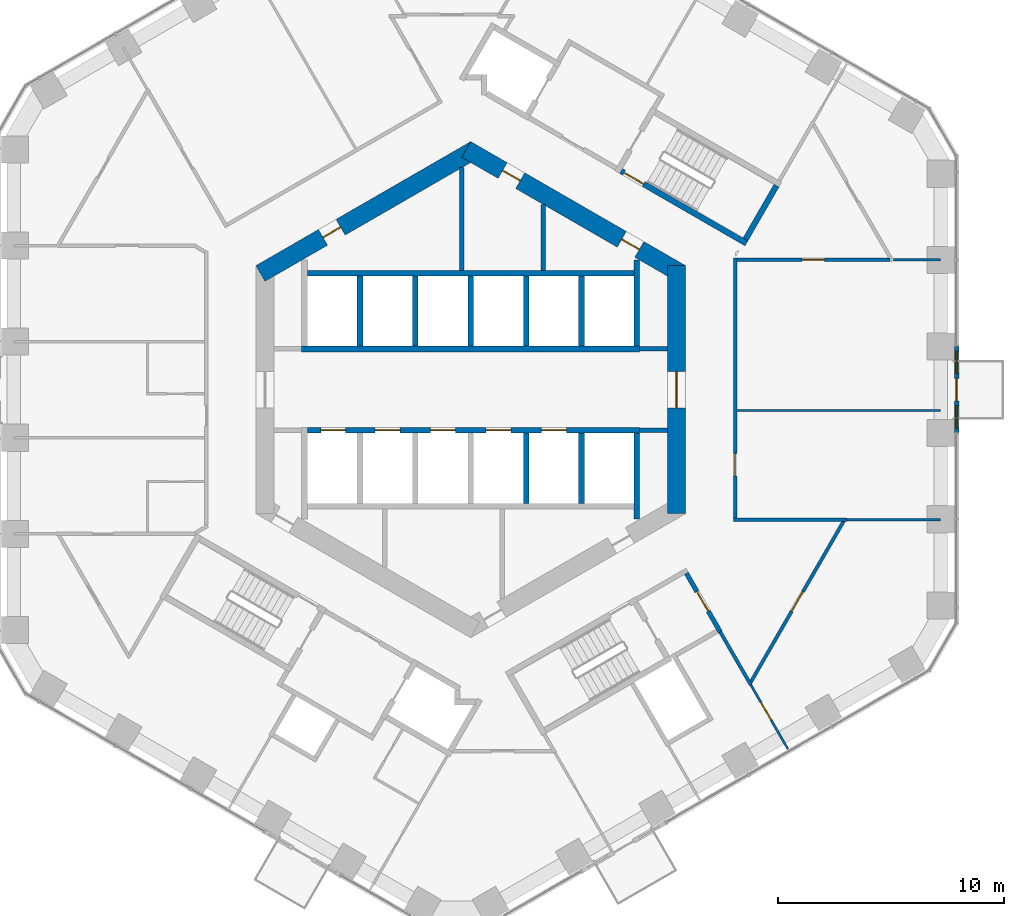
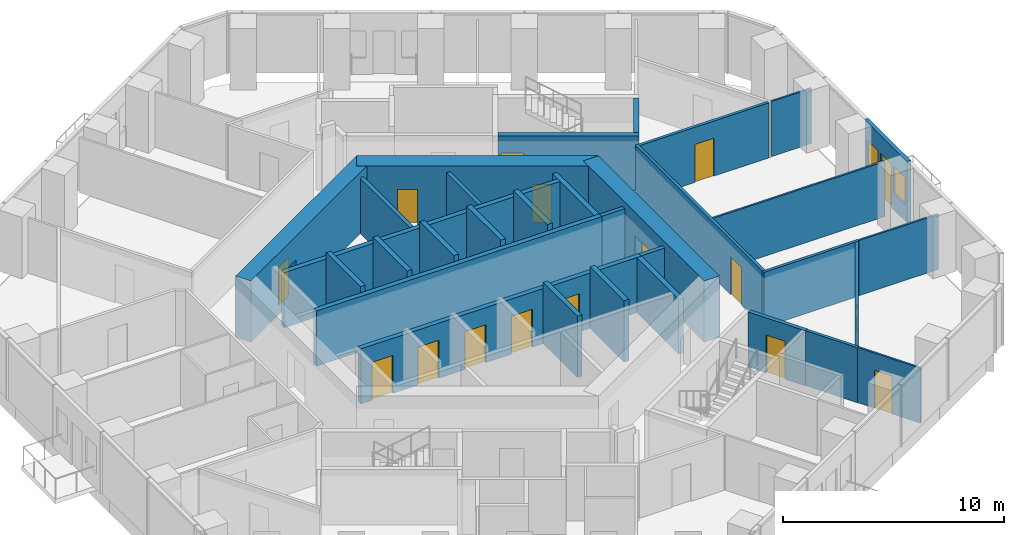
# One storey, part 15 of 20: 32 walls, 16 doors, 2 windows, 18 openings.
"""IFC4 building model written with IfcOpenShell, lengths in metres."""

from ifc_helpers import new_model, si_unit, direction, frame, frame_2d, origin, place, context, subcontext, project, spatial, rectangle, extrude, material, layer, layer_set, type_object, element, fill, save


model = new_model("IFC4")

# Units and contexts
model_context = context("Model", 3, precision=1e-05, world=origin(), true_north=direction((0.0, 1.0)))
body_context = subcontext(model_context, "Body", "Model", "MODEL_VIEW")
ifc_project = project(units=[si_unit("LENGTHUNIT", "METRE"), si_unit("AREAUNIT", "SQUARE_METRE"), si_unit("VOLUMEUNIT", "CUBIC_METRE"), si_unit("PLANEANGLEUNIT", "RADIAN"), si_unit("MASSUNIT", "GRAM", prefix="KILO")], contexts=[model_context])

# Site, building, storey
site_placement = place(None, origin())
site = spatial("IfcSite", under=ifc_project, at=site_placement, CompositionType="ELEMENT")
building_placement = place(site_placement, origin())
building = spatial("IfcBuilding", under=site, at=building_placement, Name="Ayvan Gate Tower", CompositionType="ELEMENT")
storey_placement = place(building_placement, frame((0.0, 0.0, 59.5)))
storey = spatial("IfcBuildingStorey", under=building, at=storey_placement, Name="L15", CompositionType="ELEMENT", Elevation=59.5)

# Wall, openings, door, windows
ifc_material_1 = material(Name="Insulated metal panel wall")
ifc_layer_1 = layer(ifc_material_1, 0.199951171875)
ifc_layer_set_1 = layer_set([ifc_layer_1], Name="Insulated metal panel wall")
wall_type_1 = type_object("IfcWallType", Name="Balcony door wall 200", PredefinedType="SOLIDWALL", material=ifc_layer_set_1)
wall_1_placement = place(storey_placement, frame((21.484619140625, -1.909912109375, 0.0), z_axis=(0.0, 0.0, 1.0), x_axis=(0.0, 1.0, 0.0)))
wall_1 = element("IfcWall", 1, at=wall_1_placement, inside=storey, type_object=wall_type_1, Name="EW:L15:0:2", PredefinedType="SOLIDWALL", context=body_context, shape_type="SweptSolid", body=[
    extrude(rectangle(XDim=3.820068359375, YDim=0.199951171875, at=frame_2d((1.91015625, 0.0))), origin(), (0.0, 0.0, 1.0), 3.39990234375),
])
opening_1_placement = place(wall_1_placement, frame((1.409912109375, 0.0, 0.0)))
opening_1 = element("IfcOpeningElement", 2, at=opening_1_placement, cuts=wall_1, Name="Opening L15-D90", PredefinedType="OPENING", context=body_context, shape_type="SweptSolid", body=[
    extrude(rectangle(XDim=1.0, YDim=2.39990234375, at=frame_2d((0.5, 1.199951171875))), frame((0.0, 0.10986328125, 0.0), z_axis=(0.0, -1.0, 0.0), x_axis=(1.0, 0.0, 0.0)), (0.0, 0.0, 1.0), 0.219970703125),
])
opening_2_placement = place(wall_1_placement, frame((0.205078125, 0.0, 0.89990234375)))
opening_2 = element("IfcOpeningElement", 3, at=opening_2_placement, cuts=wall_1, Name="Opening W-B1", PredefinedType="OPENING", context=body_context, shape_type="SweptSolid", body=[
    extrude(rectangle(XDim=1.0, YDim=1.5, at=frame_2d((0.5, 0.75))), frame((0.0, 0.10986328125, 0.0), z_axis=(0.0, -1.0, 0.0), x_axis=(1.0, 0.0, 0.0)), (0.0, 0.0, 1.0), 0.219970703125),
])
opening_3_placement = place(wall_1_placement, frame((2.614990234375, 0.0, 0.89990234375)))
opening_3 = element("IfcOpeningElement", 4, at=opening_3_placement, cuts=wall_1, Name="Opening W-B1", PredefinedType="OPENING", context=body_context, shape_type="SweptSolid", body=[
    extrude(rectangle(XDim=1.0, YDim=1.5, at=frame_2d((0.5, 0.75))), frame((0.0, 0.10986328125, 0.0), z_axis=(0.0, -1.0, 0.0), x_axis=(1.0, 0.0, 0.0)), (0.0, 0.0, 1.0), 0.219970703125),
])
ifc_material_2 = material(Name="Bronze anodised aluminium and clear glass", Category="aluminium")
door_type_1 = type_object("IfcDoorType", Name="Balcony door D-B", OperationType="SINGLE_SWING_RIGHT", PredefinedType="DOOR", material=ifc_material_2)
door_1_placement = place(opening_1_placement, origin())
door_1 = element("IfcDoor", 5, at=door_1_placement, inside=storey, type_object=door_type_1, Name="Balcony door BAL-L15-0", OperationType="SINGLE_SWING_RIGHT", OverallHeight=2.39990234375, OverallWidth=1.0, PredefinedType="DOOR", context=body_context, shape_type="SweptSolid", body=[
    extrude(rectangle(XDim=1.0, YDim=2.39990234375, at=frame_2d((0.5, 1.199951171875))), frame((0.0, 0.02490234375, 0.0), z_axis=(0.0, -1.0, 0.0), x_axis=(1.0, 0.0, 0.0)), (0.0, 0.0, 1.0), 0.050048828125),
])
fill(opening_1, door_1)
window_type = type_object("IfcWindowType", Name="Balcony side light W-B Z1", PartitioningType="SINGLE_PANEL", PredefinedType="WINDOW", material=ifc_material_2)
window_1_placement = place(opening_2_placement, origin())
window_1 = element("IfcWindow", 6, at=window_1_placement, inside=storey, type_object=window_type, Name="Balcony side light BAL-L15-0.1", OverallHeight=1.5, OverallWidth=1.0, PartitioningType="SINGLE_PANEL", PredefinedType="WINDOW", context=body_context, shape_type="SweptSolid", body=[
    extrude(rectangle(XDim=1.0, YDim=1.5, at=frame_2d((0.5, 0.75))), frame((0.0, 0.030029296875, 0.0), z_axis=(0.0, -1.0, 0.0), x_axis=(1.0, 0.0, 0.0)), (0.0, 0.0, 1.0), 0.06005859375),
])
fill(opening_2, window_1)
window_2_placement = place(opening_3_placement, origin())
window_2 = element("IfcWindow", 7, at=window_2_placement, inside=storey, type_object=window_type, Name="Balcony side light BAL-L15-0.2", OverallHeight=1.5, OverallWidth=1.0, PartitioningType="SINGLE_PANEL", PredefinedType="WINDOW", context=body_context, shape_type="SweptSolid", body=[
    extrude(rectangle(XDim=1.0, YDim=1.5, at=frame_2d((0.5, 0.75))), frame((0.0, 0.030029296875, 0.0), z_axis=(0.0, -1.0, 0.0), x_axis=(1.0, 0.0, 0.0)), (0.0, 0.0, 1.0), 0.06005859375),
])
fill(opening_3, window_2)

# Wall, opening, door
ifc_material_3 = material(Name="Concrete C70/85", Category="concrete")
ifc_layer_2 = layer(ifc_material_3, 0.800048828125)
ifc_layer_set_2 = layer_set([ifc_layer_2], Name="Concrete C70/85")
wall_type_2 = type_object("IfcWallType", Name="Core wall 800 C70/85", PredefinedType="SHEAR", material=ifc_layer_set_2)
wall_2_placement = place(storey_placement, frame((9.10009765625, -5.48486328125, 0.0), z_axis=(0.0, 0.0, 1.0), x_axis=(0.0, 1.0, 0.0)))
wall_2 = element("IfcWall", 8, at=wall_2_placement, inside=storey, type_object=wall_type_2, Name="CORE-L15-0", PredefinedType="SHEAR", context=body_context, shape_type="SweptSolid", body=[
    extrude(rectangle(XDim=10.9697265625, YDim=0.800048828125, at=frame_2d((5.48486328125, 0.0))), origin(), (0.0, 0.0, 1.0), 3.39990234375),
])
opening_4_placement = place(wall_2_placement, frame((4.684814453125, 0.0, 0.0)))
opening_4 = element("IfcOpeningElement", 9, at=opening_4_placement, cuts=wall_2, Name="Opening L15-D102", PredefinedType="OPENING", context=body_context, shape_type="SweptSolid", body=[
    extrude(rectangle(XDim=1.60009765625, YDim=2.10009765625, at=frame_2d((0.800048828125, 1.050048828125))), frame((0.0, 0.409912109375, 0.0), z_axis=(0.0, -1.0, 0.0), x_axis=(1.0, 0.0, 0.0)), (0.0, 0.0, 1.0), 0.820068359375),
])
ifc_material_4 = material(Name="Timber door leaf", Category="wood")
door_type_2 = type_object("IfcDoorType", Name="DT-1600", OperationType="NOTDEFINED", PredefinedType="DOOR", material=ifc_material_4)
door_2_placement = place(opening_4_placement, origin())
door_2 = element("IfcDoor", 10, at=door_2_placement, inside=storey, type_object=door_type_2, Name="CD-L15-102", OperationType="SINGLE_SWING_LEFT", OverallHeight=2.10009765625, OverallWidth=1.60009765625, PredefinedType="DOOR", context=body_context, shape_type="SweptSolid", body=[
    extrude(rectangle(XDim=1.60009765625, YDim=2.10009765625, at=frame_2d((0.800048828125, 1.050048828125))), frame((0.0, 0.02490234375, 0.0), z_axis=(0.0, -1.0, 0.0), x_axis=(1.0, 0.0, 0.0)), (0.0, 0.0, 1.0), 0.050048828125),
])
fill(opening_4, door_2)

# Wall, openings, doors
wall_3_placement = place(storey_placement, frame((9.300048828125, 5.138427734375, 0.0), z_axis=(0.0, 0.0, 1.0), x_axis=(-0.866023993627, 0.500002442456, 0.0)))
wall_3 = element("IfcWall", 11, at=wall_3_placement, inside=storey, type_object=wall_type_2, Name="CORE-L15-1", PredefinedType="SHEAR", context=body_context, shape_type="SweptSolid", body=[
    extrude(rectangle(XDim=10.9697265625, YDim=0.800048828125, at=frame_2d((5.48486328125, 0.0))), origin(), (0.0, 0.0, 1.0), 3.39990234375),
])
opening_5_placement = place(wall_3_placement, frame((8.209716796875, 0.0, 0.0)))
opening_5 = element("IfcOpeningElement", 12, at=opening_5_placement, cuts=wall_3, Name="Opening L15-D97", PredefinedType="OPENING", context=body_context, shape_type="SweptSolid", body=[
    extrude(rectangle(XDim=0.89990234375, YDim=2.10009765625, at=frame_2d((0.449951171875, 1.050048828125))), frame((0.0, 0.409912109375, 0.0), z_axis=(0.0, -1.0, 0.0), x_axis=(1.0, 0.0, 0.0)), (0.0, 0.0, 1.0), 0.820068359375),
])
opening_6_placement = place(wall_3_placement, frame((2.1259765625, 0.0, 0.0)))
opening_6 = element("IfcOpeningElement", 13, at=opening_6_placement, cuts=wall_3, Name="Opening L15-D98", PredefinedType="OPENING", context=body_context, shape_type="SweptSolid", body=[
    extrude(rectangle(XDim=0.89990234375, YDim=2.10009765625, at=frame_2d((0.449951171875, 1.050048828125))), frame((0.0, 0.409912109375, 0.0), z_axis=(0.0, -1.0, 0.0), x_axis=(1.0, 0.0, 0.0)), (0.0, 0.0, 1.0), 0.820068359375),
])
door_type_3 = type_object("IfcDoorType", Name="DT-900", OperationType="NOTDEFINED", PredefinedType="DOOR", material=ifc_material_4)
door_3_placement = place(opening_5_placement, origin())
door_3 = element("IfcDoor", 14, at=door_3_placement, inside=storey, type_object=door_type_3, Name="CD-L15-97", OperationType="SINGLE_SWING_RIGHT", OverallHeight=2.10009765625, OverallWidth=0.89990234375, PredefinedType="DOOR", context=body_context, shape_type="SweptSolid", body=[
    extrude(rectangle(XDim=0.89990234375, YDim=2.10009765625, at=frame_2d((0.449951171875, 1.050048828125))), frame((0.0, 0.02490234375, 0.0), z_axis=(0.0, -1.0, 0.0), x_axis=(1.0, 0.0, 0.0)), (0.0, 0.0, 1.0), 0.050048828125),
])
fill(opening_5, door_3)
door_4_placement = place(opening_6_placement, origin())
door_4 = element("IfcDoor", 15, at=door_4_placement, inside=storey, type_object=door_type_3, Name="CD-L15-98", OperationType="SINGLE_SWING_LEFT", OverallHeight=2.10009765625, OverallWidth=0.89990234375, PredefinedType="DOOR", context=body_context, shape_type="SweptSolid", body=[
    extrude(rectangle(XDim=0.89990234375, YDim=2.10009765625, at=frame_2d((0.449951171875, 1.050048828125))), frame((0.0, 0.02490234375, 0.0), z_axis=(0.0, -1.0, 0.0), x_axis=(1.0, 0.0, 0.0)), (0.0, 0.0, 1.0), 0.050048828125),
])
fill(opening_6, door_4)

# Wall, opening, door
wall_4_placement = place(storey_placement, frame((0.199951171875, 10.623291015625, 0.0), z_axis=(0.0, 0.0, 1.0), x_axis=(-0.866023993627, -0.500002442456, 0.0)))
wall_4 = element("IfcWall", 16, at=wall_4_placement, inside=storey, type_object=wall_type_2, Name="CORE-L15-2", PredefinedType="SHEAR", context=body_context, shape_type="SweptSolid", body=[
    extrude(rectangle(XDim=10.9697265625, YDim=0.800048828125, at=frame_2d((5.48486328125, 0.0))), origin(), (0.0, 0.0, 1.0), 3.39990234375),
])
opening_7_placement = place(wall_4_placement, frame((6.877197265625, 0.0, 0.0)))
opening_7 = element("IfcOpeningElement", 17, at=opening_7_placement, cuts=wall_4, Name="Opening L15-D96", PredefinedType="OPENING", context=body_context, shape_type="SweptSolid", body=[
    extrude(rectangle(XDim=0.89990234375, YDim=2.10009765625, at=frame_2d((0.449951171875, 1.050048828125))), frame((0.0, 0.409912109375, 0.0), z_axis=(0.0, -1.0, 0.0), x_axis=(1.0, 0.0, 0.0)), (0.0, 0.0, 1.0), 0.820068359375),
])
door_5_placement = place(opening_7_placement, origin())
door_5 = element("IfcDoor", 18, at=door_5_placement, inside=storey, type_object=door_type_3, Name="CD-L15-96", OperationType="SINGLE_SWING_LEFT", OverallHeight=2.10009765625, OverallWidth=0.89990234375, PredefinedType="DOOR", context=body_context, shape_type="SweptSolid", body=[
    extrude(rectangle(XDim=0.89990234375, YDim=2.10009765625, at=frame_2d((0.449951171875, 1.050048828125))), frame((0.0, 0.02490234375, 0.0), z_axis=(0.0, -1.0, 0.0), x_axis=(1.0, 0.0, 0.0)), (0.0, 0.0, 1.0), 0.050048828125),
])
fill(opening_7, door_5)

# Wall
ifc_material_5 = material(Name="Plasterboard on steel stud", Category="steel")
ifc_layer_3 = layer(ifc_material_5, 0.14990234375)
ifc_layer_set_3 = layer_set([ifc_layer_3], Name="Plasterboard on steel stud")
wall_type_3 = type_object("IfcWallType", Name="WT-CORR-150", PredefinedType="PARTITIONING", material=ifc_layer_set_3)
wall_5_placement = place(storey_placement, frame((11.625, -5.74951171875, 0.0), z_axis=(0.0, 0.0, 1.0), x_axis=(1.0, 0.0, 0.0)))
element("IfcWall", 19, at=wall_5_placement, inside=storey, type_object=wall_type_3, Name="IW-L15-104", PredefinedType="PARTITIONING", context=body_context, shape_type="SweptSolid", body=[
    extrude(rectangle(XDim=4.9833984375, YDim=0.14990234375, at=frame_2d((2.49169921875, 0.0))), origin(), (0.0, 0.0, 1.0), 3.050048828125),
])

# Wall, opening, door
wall_6_placement = place(storey_placement, frame((11.699951171875, -5.674560546875, 0.0), z_axis=(0.0, 0.0, 1.0), x_axis=(0.0, 1.0, 0.0)))
wall_6 = element("IfcWall", 20, at=wall_6_placement, inside=storey, type_object=wall_type_3, Name="IW-L15-105", PredefinedType="PARTITIONING", context=body_context, shape_type="SweptSolid", body=[
    extrude(rectangle(XDim=11.499267578125, YDim=0.14990234375, at=frame_2d((5.74951171875, 0.0))), origin(), (0.0, 0.0, 1.0), 3.050048828125),
])
opening_8_placement = place(wall_6_placement, frame((1.8623046875, 0.0, 0.0)))
opening_8 = element("IfcOpeningElement", 21, at=opening_8_placement, cuts=wall_6, Name="Opening L15-D17", PredefinedType="OPENING", context=body_context, shape_type="SweptSolid", body=[
    extrude(rectangle(XDim=1.0, YDim=2.10009765625, at=frame_2d((0.5, 1.050048828125))), frame((0.0, 0.0849609375, 0.0), z_axis=(0.0, -1.0, 0.0), x_axis=(1.0, 0.0, 0.0)), (0.0, 0.0, 1.0), 0.169921875),
])
door_type_4 = type_object("IfcDoorType", Name="DT-1000", OperationType="NOTDEFINED", PredefinedType="DOOR", material=ifc_material_4)
door_6_placement = place(opening_8_placement, origin())
door_6 = element("IfcDoor", 22, at=door_6_placement, inside=storey, type_object=door_type_4, Name="ID-L15-017", OperationType="SINGLE_SWING_RIGHT", OverallHeight=2.10009765625, OverallWidth=1.0, PredefinedType="DOOR", context=body_context, shape_type="SweptSolid", body=[
    extrude(rectangle(XDim=1.0, YDim=2.10009765625, at=frame_2d((0.5, 1.050048828125))), frame((0.0, 0.02490234375, 0.0), z_axis=(0.0, -1.0, 0.0), x_axis=(1.0, 0.0, 0.0)), (0.0, 0.0, 1.0), 0.050048828125),
])
fill(opening_8, door_6)

# Wall
wall_7_placement = place(storey_placement, frame((12.388916015625, -13.05810546875, 0.0), z_axis=(0.0, 0.0, 1.0), x_axis=(-0.499985657998, 0.866033683985, 0.0)))
element("IfcWall", 23, at=wall_7_placement, inside=storey, type_object=wall_type_3, Name="IW-L15-108", PredefinedType="PARTITIONING", context=body_context, shape_type="SweptSolid", body=[
    extrude(rectangle(XDim=2.703125, YDim=0.14990234375, at=frame_2d((1.3515625, 0.0))), origin(), (0.0, 0.0, 1.0), 3.050048828125),
])

# Wall, opening, door
wall_8_placement = place(storey_placement, frame((16.49609375, -5.814697265625, 0.0), z_axis=(0.0, 0.0, 1.0), x_axis=(-0.500016611795, -0.866015812748, 0.0)))
wall_8 = element("IfcWall", 24, at=wall_8_placement, inside=storey, type_object=wall_type_3, Name="IW-L15-114", PredefinedType="PARTITIONING", context=body_context, shape_type="SweptSolid", body=[
    extrude(rectangle(XDim=8.214111328125, YDim=0.14990234375, at=frame_2d((4.10693359375, 0.0))), origin(), (0.0, 0.0, 1.0), 3.050048828125),
])
opening_9_placement = place(wall_8_placement, frame((3.607177734375, 0.0, 0.0)))
opening_9 = element("IfcOpeningElement", 25, at=opening_9_placement, cuts=wall_8, Name="Opening L15-D34", PredefinedType="OPENING", context=body_context, shape_type="SweptSolid", body=[
    extrude(rectangle(XDim=1.0, YDim=2.10009765625, at=frame_2d((0.5, 1.050048828125))), frame((0.0, 0.0849609375, 0.0), z_axis=(0.0, -1.0, 0.0), x_axis=(1.0, 0.0, 0.0)), (0.0, 0.0, 1.0), 0.169921875),
])
door_7_placement = place(opening_9_placement, origin())
door_7 = element("IfcDoor", 26, at=door_7_placement, inside=storey, type_object=door_type_4, Name="ID-L15-034", OperationType="SINGLE_SWING_LEFT", OverallHeight=2.10009765625, OverallWidth=1.0, PredefinedType="DOOR", context=body_context, shape_type="SweptSolid", body=[
    extrude(rectangle(XDim=1.0, YDim=2.10009765625, at=frame_2d((0.5, 1.050048828125))), frame((0.0, 0.02490234375, 0.0), z_axis=(0.0, -1.0, 0.0), x_axis=(1.0, 0.0, 0.0)), (0.0, 0.0, 1.0), 0.050048828125),
])
fill(opening_9, door_7)

wall_9_placement = place(storey_placement, frame((18.537109375, 5.74951171875, 0.0), z_axis=(0.0, 0.0, 1.0), x_axis=(-1.0, 0.0, 0.0)))
wall_9 = element("IfcWall", 27, at=wall_9_placement, inside=storey, type_object=wall_type_3, Name="IW-L15-116", PredefinedType="PARTITIONING", context=body_context, shape_type="SweptSolid", body=[
    extrude(rectangle(XDim=6.76220703125, YDim=0.14990234375, at=frame_2d((3.381103515625, 0.0))), origin(), (0.0, 0.0, 1.0), 3.050048828125),
])
opening_10_placement = place(wall_9_placement, frame((2.881103515625, 0.0, 0.0)))
opening_10 = element("IfcOpeningElement", 28, at=opening_10_placement, cuts=wall_9, Name="Opening L15-D18", PredefinedType="OPENING", context=body_context, shape_type="SweptSolid", body=[
    extrude(rectangle(XDim=1.0, YDim=2.10009765625, at=frame_2d((0.5, 1.050048828125))), frame((0.0, 0.0849609375, 0.0), z_axis=(0.0, -1.0, 0.0), x_axis=(1.0, 0.0, 0.0)), (0.0, 0.0, 1.0), 0.169921875),
])
door_8_placement = place(opening_10_placement, origin())
door_8 = element("IfcDoor", 29, at=door_8_placement, inside=storey, type_object=door_type_4, Name="ID-L15-018", OperationType="SINGLE_SWING_LEFT", OverallHeight=2.10009765625, OverallWidth=1.0, PredefinedType="DOOR", context=body_context, shape_type="SweptSolid", body=[
    extrude(rectangle(XDim=1.0, YDim=2.10009765625, at=frame_2d((0.5, 1.050048828125))), frame((0.0, 0.02490234375, 0.0), z_axis=(0.0, -1.0, 0.0), x_axis=(1.0, 0.0, 0.0)), (0.0, 0.0, 1.0), 0.050048828125),
])
fill(opening_10, door_8)

# Wall
ifc_layer_4 = layer(ifc_material_5, 0.10009765625)
ifc_layer_set_4 = layer_set([ifc_layer_4], Name="Plasterboard on steel stud")
wall_type_4 = type_object("IfcWallType", Name="WT-PART-100", PredefinedType="PARTITIONING", material=ifc_layer_set_4)
wall_10_placement = place(storey_placement, frame((11.77490234375, -0.919921875, 0.0), z_axis=(0.0, 0.0, 1.0), x_axis=(1.0, 0.0, 0.0)))
element("IfcWall", 30, at=wall_10_placement, inside=storey, type_object=wall_type_4, Name="IW-L15-106", PredefinedType="PARTITIONING", context=body_context, shape_type="SweptSolid", body=[
    extrude(rectangle(XDim=9.009765625, YDim=0.10009765625, at=frame_2d((4.5048828125, 0.0))), origin(), (0.0, 0.0, 1.0), 3.050048828125),
])

# Wall, opening, door
wall_11_placement = place(storey_placement, frame((14.031005859375, -15.902099609375, 0.0), z_axis=(0.0, 0.0, 1.0), x_axis=(-0.500024907045, 0.866011023218, 0.0)))
wall_11 = element("IfcWall", 31, at=wall_11_placement, inside=storey, type_object=wall_type_4, Name="IW-L15-111", PredefinedType="PARTITIONING", context=body_context, shape_type="SweptSolid", body=[
    extrude(rectangle(XDim=3.283935546875, YDim=0.10009765625, at=frame_2d((1.64208984375, 0.0))), origin(), (0.0, 0.0, 1.0), 3.050048828125),
])
opening_11_placement = place(wall_11_placement, frame((1.489990234375, 0.0, 0.0)))
opening_11 = element("IfcOpeningElement", 32, at=opening_11_placement, cuts=wall_11, Name="Opening L15-D35", PredefinedType="OPENING", context=body_context, shape_type="SweptSolid", body=[
    extrude(rectangle(XDim=0.89990234375, YDim=2.10009765625, at=frame_2d((0.449951171875, 1.050048828125))), frame((0.0, 0.06005859375, 0.0), z_axis=(0.0, -1.0, 0.0), x_axis=(1.0, 0.0, 0.0)), (0.0, 0.0, 1.0), 0.1201171875),
])
door_9_placement = place(opening_11_placement, origin())
door_9 = element("IfcDoor", 33, at=door_9_placement, inside=storey, type_object=door_type_3, Name="ID-L15-035", OperationType="SINGLE_SWING_RIGHT", OverallHeight=2.10009765625, OverallWidth=0.89990234375, PredefinedType="DOOR", context=body_context, shape_type="SweptSolid", body=[
    extrude(rectangle(XDim=0.89990234375, YDim=2.10009765625, at=frame_2d((0.449951171875, 1.050048828125))), frame((0.0, 0.02490234375, 0.0), z_axis=(0.0, -1.0, 0.0), x_axis=(1.0, 0.0, 0.0)), (0.0, 0.0, 1.0), 0.050048828125),
])
fill(opening_11, door_9)

# Walls
wall_12_placement = place(storey_placement, frame((18.68701171875, 5.74951171875, 0.0), z_axis=(0.0, 0.0, 1.0), x_axis=(1.0, 0.0, 0.0)))
element("IfcWall", 34, at=wall_12_placement, inside=storey, type_object=wall_type_4, Name="IW-L15-115", PredefinedType="PARTITIONING", context=body_context, shape_type="SweptSolid", body=[
    extrude(rectangle(XDim=2.09765625, YDim=0.10009765625, at=frame_2d((1.048828125, 0.0))), origin(), (0.0, 0.0, 1.0), 3.050048828125),
])
wall_13_placement = place(storey_placement, frame((20.78466796875, -5.74951171875, 0.0), z_axis=(0.0, 0.0, 1.0), x_axis=(-1.0, 0.0, 0.0)))
element("IfcWall", 35, at=wall_13_placement, inside=storey, type_object=wall_type_4, Name="IW-L15-117", PredefinedType="PARTITIONING", context=body_context, shape_type="SweptSolid", body=[
    extrude(rectangle(XDim=4.17626953125, YDim=0.10009765625, at=frame_2d((2.088134765625, 0.0))), origin(), (0.0, 0.0, 1.0), 3.050048828125),
])
ifc_layer_5 = layer(ifc_material_5, 0.199951171875)
ifc_layer_set_5 = layer_set([ifc_layer_5], Name="Plasterboard on steel stud")
wall_type_5 = type_object("IfcWallType", Name="WT-RATED-200", PredefinedType="PARTITIONING", material=ifc_layer_set_5)
wall_14_placement = place(storey_placement, frame((-0.39990234375, 9.81494140625, 0.0), z_axis=(0.0, 0.0, 1.0), x_axis=(0.0, -1.0, 0.0)))
element("IfcWall", 36, at=wall_14_placement, inside=storey, type_object=wall_type_5, Name="IW-L15-059", PredefinedType="PARTITIONING", context=body_context, shape_type="SweptSolid", body=[
    extrude(rectangle(XDim=4.5400390625, YDim=0.199951171875, at=frame_2d((2.27001953125, 0.0))), origin(), (0.0, 0.0, 1.0), 3.050048828125),
])
wall_15_placement = place(storey_placement, frame((3.199951171875, 8.198486328125, 0.0), z_axis=(0.0, 0.0, 1.0), x_axis=(0.0, -1.0, 0.0)))
element("IfcWall", 37, at=wall_15_placement, inside=storey, type_object=wall_type_5, Name="IW-L15-077", PredefinedType="PARTITIONING", context=body_context, shape_type="SweptSolid", body=[
    extrude(rectangle(XDim=2.923583984375, YDim=0.199951171875, at=frame_2d((1.4619140625, 0.0))), origin(), (0.0, 0.0, 1.0), 3.050048828125),
])
for number, where, z_axis, x_axis, name in (
    (38, (7.474853515625, 1.800048828125, 0.0), (0.0, 0.0, 1.0), (1.0, 0.0, 0.0), "IW-L15-090"),
    (39, (8.699951171875, -1.800048828125, 0.0), (0.0, 0.0, 1.0), (-1.0, 0.0, 0.0), "IW-L15-098"),
):
    element("IfcWall", number, at=place(storey_placement, frame(where, z_axis=z_axis, x_axis=x_axis)), inside=storey, type_object=wall_type_5, Name=name, PredefinedType="PARTITIONING", context=body_context, shape_type="SweptSolid", body=[
        extrude(rectangle(XDim=1.22509765625, YDim=0.199951171875, at=frame_2d((0.612548828125, 0.0))), origin(), (0.0, 0.0, 1.0), 3.050048828125),
    ])

# Wall, opening, door
wall_16_placement = place(storey_placement, frame((9.537353515625, -8.119140625, 0.0), z_axis=(0.0, 0.0, 1.0), x_axis=(0.499990139034, -0.866031096941, 0.0)))
wall_16 = element("IfcWall", 40, at=wall_16_placement, inside=storey, type_object=wall_type_5, Name="IW-L15-101", PredefinedType="PARTITIONING", context=body_context, shape_type="SweptSolid", body=[
    extrude(rectangle(XDim=3.0, YDim=0.199951171875, at=frame_2d((1.5, 0.0))), origin(), (0.0, 0.0, 1.0), 3.050048828125),
])
opening_12_placement = place(wall_16_placement, frame((0.93505859375, 0.0, 0.0)))
opening_12 = element("IfcOpeningElement", 41, at=opening_12_placement, cuts=wall_16, Name="Opening L15-D15", PredefinedType="OPENING", context=body_context, shape_type="SweptSolid", body=[
    extrude(rectangle(XDim=1.0, YDim=2.10009765625, at=frame_2d((0.5, 1.050048828125))), frame((0.0, 0.10986328125, 0.0), z_axis=(0.0, -1.0, 0.0), x_axis=(1.0, 0.0, 0.0)), (0.0, 0.0, 1.0), 0.219970703125),
])
door_10_placement = place(opening_12_placement, origin())
door_10 = element("IfcDoor", 42, at=door_10_placement, inside=storey, type_object=door_type_4, Name="ID-L15-015", OperationType="SINGLE_SWING_RIGHT", OverallHeight=2.10009765625, OverallWidth=1.0, PredefinedType="DOOR", context=body_context, shape_type="SweptSolid", body=[
    extrude(rectangle(XDim=1.0, YDim=2.10009765625, at=frame_2d((0.5, 1.050048828125))), frame((0.0, 0.02490234375, 0.0), z_axis=(0.0, -1.0, 0.0), x_axis=(1.0, 0.0, 0.0)), (0.0, 0.0, 1.0), 0.050048828125),
])
fill(opening_12, door_10)

# Walls
ifc_material_6 = material(Name="Concrete C50/60", Category="concrete")
ifc_layer_6 = layer(ifc_material_6, 0.25)
ifc_layer_set_6 = layer_set([ifc_layer_6], Name="Concrete C50/60")
wall_type_6 = type_object("IfcWallType", Name="WT-RC-250", PredefinedType="SHEAR", material=ifc_layer_set_6)
wall_17_placement = place(storey_placement, frame((-7.47509765625, 1.800048828125, 0.0), z_axis=(0.0, 0.0, 1.0), x_axis=(1.0, 0.0, 0.0)))
element("IfcWall", 43, at=wall_17_placement, inside=storey, type_object=wall_type_6, Name="IW-L15-027", PredefinedType="SHEAR", context=body_context, shape_type="SweptSolid", body=[
    extrude(rectangle(XDim=14.9501953125, YDim=0.25, at=frame_2d((7.47509765625, 0.0))), origin(), (0.0, 0.0, 1.0), 3.050048828125),
])
wall_18_placement = place(storey_placement, frame((-7.22509765625, 5.14990234375, 0.0), z_axis=(0.0, 0.0, 1.0), x_axis=(1.0, 0.0, 0.0)))
element("IfcWall", 44, at=wall_18_placement, inside=storey, type_object=wall_type_6, Name="IW-L15-030", PredefinedType="SHEAR", context=body_context, shape_type="SweptSolid", body=[
    extrude(rectangle(XDim=14.7001953125, YDim=0.25, at=frame_2d((7.35009765625, 0.0))), origin(), (0.0, 0.0, 1.0), 3.050048828125),
])
wall_19_placement = place(storey_placement, frame((-4.89990234375, 5.02490234375, 0.0), z_axis=(0.0, 0.0, 1.0), x_axis=(0.0, -1.0, 0.0)))
element("IfcWall", 45, at=wall_19_placement, inside=storey, type_object=wall_type_6, Name="IW-L15-039", PredefinedType="SHEAR", context=body_context, shape_type="SweptSolid", body=[
    extrude(rectangle(XDim=3.099853515625, YDim=0.25, at=frame_2d((1.5498046875, 0.0))), origin(), (0.0, 0.0, 1.0), 3.39990234375),
])

# Wall, openings, doors
wall_20_placement = place(storey_placement, frame((-7.22509765625, -1.800048828125, 0.0), z_axis=(0.0, 0.0, 1.0), x_axis=(1.0, 0.0, 0.0)))
wall_20 = element("IfcWall", 46, at=wall_20_placement, inside=storey, type_object=wall_type_6, Name="IW-L15-040", PredefinedType="SHEAR", context=body_context, shape_type="SweptSolid", body=[
    extrude(rectangle(XDim=14.7001953125, YDim=0.25, at=frame_2d((7.35009765625, 0.0))), origin(), (0.0, 0.0, 1.0), 3.050048828125),
])
opening_13_placement = place(wall_20_placement, frame((0.597412109375, 0.0, 0.0)))
opening_13 = element("IfcOpeningElement", 47, at=opening_13_placement, cuts=wall_20, Name="Opening L15-LD-LR1", PredefinedType="OPENING", context=body_context, shape_type="SweptSolid", body=[
    extrude(rectangle(XDim=1.10009765625, YDim=2.10009765625, at=frame_2d((0.550048828125, 1.050048828125))), frame((0.0, 0.135009765625, 0.0), z_axis=(0.0, -1.0, 0.0), x_axis=(1.0, 0.0, 0.0)), (0.0, 0.0, 1.0), 0.27001953125),
])
opening_14_placement = place(wall_20_placement, frame((3.0, 0.0, 0.0)))
opening_14 = element("IfcOpeningElement", 48, at=opening_14_placement, cuts=wall_20, Name="Opening L15-LD-LR2", PredefinedType="OPENING", context=body_context, shape_type="SweptSolid", body=[
    extrude(rectangle(XDim=1.10009765625, YDim=2.10009765625, at=frame_2d((0.550048828125, 1.050048828125))), frame((0.0, 0.135009765625, 0.0), z_axis=(0.0, -1.0, 0.0), x_axis=(1.0, 0.0, 0.0)), (0.0, 0.0, 1.0), 0.27001953125),
])
opening_15_placement = place(wall_20_placement, frame((5.4501953125, 0.0, 0.0)))
opening_15 = element("IfcOpeningElement", 49, at=opening_15_placement, cuts=wall_20, Name="Opening L15-LD-LR3", PredefinedType="OPENING", context=body_context, shape_type="SweptSolid", body=[
    extrude(rectangle(XDim=1.10009765625, YDim=2.10009765625, at=frame_2d((0.550048828125, 1.050048828125))), frame((0.0, 0.135009765625, 0.0), z_axis=(0.0, -1.0, 0.0), x_axis=(1.0, 0.0, 0.0)), (0.0, 0.0, 1.0), 0.27001953125),
])
opening_16_placement = place(wall_20_placement, frame((7.900146484375, 0.0, 0.0)))
opening_16 = element("IfcOpeningElement", 50, at=opening_16_placement, cuts=wall_20, Name="Opening L15-LD-LR4", PredefinedType="OPENING", context=body_context, shape_type="SweptSolid", body=[
    extrude(rectangle(XDim=1.10009765625, YDim=2.10009765625, at=frame_2d((0.550048828125, 1.050048828125))), frame((0.0, 0.135009765625, 0.0), z_axis=(0.0, -1.0, 0.0), x_axis=(1.0, 0.0, 0.0)), (0.0, 0.0, 1.0), 0.27001953125),
])
opening_17_placement = place(wall_20_placement, frame((10.35009765625, 0.0, 0.0)))
opening_17 = element("IfcOpeningElement", 51, at=opening_17_placement, cuts=wall_20, Name="Opening L15-LD-SV", PredefinedType="OPENING", context=body_context, shape_type="SweptSolid", body=[
    extrude(rectangle(XDim=1.10009765625, YDim=2.10009765625, at=frame_2d((0.550048828125, 1.050048828125))), frame((0.0, 0.135009765625, 0.0), z_axis=(0.0, -1.0, 0.0), x_axis=(1.0, 0.0, 0.0)), (0.0, 0.0, 1.0), 0.27001953125),
])
ifc_material_7 = material(Name="Stainless steel landing door", Category="steel")
door_type_5 = type_object("IfcDoorType", Name="DT-LANDING-1100", OperationType="SLIDING_TO_LEFT", PredefinedType="DOOR", material=ifc_material_7)
door_11_placement = place(opening_13_placement, origin())
door_11 = element("IfcDoor", 52, at=door_11_placement, inside=storey, type_object=door_type_5, Name="ID-L15-001", OperationType="SLIDING_TO_LEFT", OverallHeight=2.10009765625, OverallWidth=1.10009765625, PredefinedType="DOOR", context=body_context, shape_type="SweptSolid", body=[
    extrude(rectangle(XDim=1.10009765625, YDim=2.10009765625, at=frame_2d((0.550048828125, 1.050048828125))), frame((0.0, 0.02490234375, 0.0), z_axis=(0.0, -1.0, 0.0), x_axis=(1.0, 0.0, 0.0)), (0.0, 0.0, 1.0), 0.050048828125),
])
fill(opening_13, door_11)
door_12_placement = place(opening_14_placement, origin())
door_12 = element("IfcDoor", 53, at=door_12_placement, inside=storey, type_object=door_type_5, Name="ID-L15-002", OperationType="SLIDING_TO_LEFT", OverallHeight=2.10009765625, OverallWidth=1.10009765625, PredefinedType="DOOR", context=body_context, shape_type="SweptSolid", body=[
    extrude(rectangle(XDim=1.10009765625, YDim=2.10009765625, at=frame_2d((0.550048828125, 1.050048828125))), frame((0.0, 0.02490234375, 0.0), z_axis=(0.0, -1.0, 0.0), x_axis=(1.0, 0.0, 0.0)), (0.0, 0.0, 1.0), 0.050048828125),
])
fill(opening_14, door_12)
door_13_placement = place(opening_15_placement, origin())
door_13 = element("IfcDoor", 54, at=door_13_placement, inside=storey, type_object=door_type_5, Name="ID-L15-003", OperationType="SLIDING_TO_LEFT", OverallHeight=2.10009765625, OverallWidth=1.10009765625, PredefinedType="DOOR", context=body_context, shape_type="SweptSolid", body=[
    extrude(rectangle(XDim=1.10009765625, YDim=2.10009765625, at=frame_2d((0.550048828125, 1.050048828125))), frame((0.0, 0.02490234375, 0.0), z_axis=(0.0, -1.0, 0.0), x_axis=(1.0, 0.0, 0.0)), (0.0, 0.0, 1.0), 0.050048828125),
])
fill(opening_15, door_13)
door_14_placement = place(opening_16_placement, origin())
door_14 = element("IfcDoor", 55, at=door_14_placement, inside=storey, type_object=door_type_5, Name="ID-L15-004", OperationType="SLIDING_TO_LEFT", OverallHeight=2.10009765625, OverallWidth=1.10009765625, PredefinedType="DOOR", context=body_context, shape_type="SweptSolid", body=[
    extrude(rectangle(XDim=1.10009765625, YDim=2.10009765625, at=frame_2d((0.550048828125, 1.050048828125))), frame((0.0, 0.02490234375, 0.0), z_axis=(0.0, -1.0, 0.0), x_axis=(1.0, 0.0, 0.0)), (0.0, 0.0, 1.0), 0.050048828125),
])
fill(opening_16, door_14)
door_15_placement = place(opening_17_placement, origin())
door_15 = element("IfcDoor", 56, at=door_15_placement, inside=storey, type_object=door_type_5, Name="ID-L15-005", OperationType="SLIDING_TO_LEFT", OverallHeight=2.10009765625, OverallWidth=1.10009765625, PredefinedType="DOOR", context=body_context, shape_type="SweptSolid", body=[
    extrude(rectangle(XDim=1.10009765625, YDim=2.10009765625, at=frame_2d((0.550048828125, 1.050048828125))), frame((0.0, 0.02490234375, 0.0), z_axis=(0.0, -1.0, 0.0), x_axis=(1.0, 0.0, 0.0)), (0.0, 0.0, 1.0), 0.050048828125),
])
fill(opening_17, door_15)

# Walls
for number, where, z_axis, x_axis, name in (
    (57, (-2.449951171875, 5.02490234375, 0.0), (0.0, 0.0, 1.0), (0.0, -1.0, 0.0), "IW-L15-053"),
    (58, (0.0, 5.02490234375, 0.0), (0.0, 0.0, 1.0), (0.0, -1.0, 0.0), "IW-L15-062"),
    (59, (2.449951171875, -1.925048828125, 0.0), (0.0, 0.0, 1.0), (0.0, -1.0, 0.0), "IW-L15-071"),
    (60, (2.449951171875, 5.02490234375, 0.0), (0.0, 0.0, 1.0), (0.0, -1.0, 0.0), "IW-L15-072"),
    (61, (4.89990234375, -1.925048828125, 0.0), (0.0, 0.0, 1.0), (0.0, -1.0, 0.0), "IW-L15-083"),
    (62, (4.89990234375, 5.02490234375, 0.0), (0.0, 0.0, 1.0), (0.0, -1.0, 0.0), "IW-L15-084"),
):
    element("IfcWall", number, at=place(storey_placement, frame(where, z_axis=z_axis, x_axis=x_axis)), inside=storey, type_object=wall_type_6, Name=name, PredefinedType="SHEAR", context=body_context, shape_type="SweptSolid", body=[
        extrude(rectangle(XDim=3.099853515625, YDim=0.25, at=frame_2d((1.5498046875, 0.0))), origin(), (0.0, 0.0, 1.0), 3.39990234375),
    ])
for number, where, z_axis, x_axis, name in (
    (63, (7.35009765625, -1.925048828125, 0.0), (0.0, 0.0, 1.0), (0.0, -1.0, 0.0), "IW-L15-091"),
    (64, (7.35009765625, 5.730224609375, 0.0), (0.0, 0.0, 1.0), (0.0, -1.0, 0.0), "IW-L15-092"),
):
    element("IfcWall", number, at=place(storey_placement, frame(where, z_axis=z_axis, x_axis=x_axis)), inside=storey, type_object=wall_type_6, Name=name, PredefinedType="SHEAR", context=body_context, shape_type="SweptSolid", body=[
        extrude(rectangle(XDim=3.80517578125, YDim=0.25, at=frame_2d((1.902587890625, 0.0))), origin(), (0.0, 0.0, 1.0), 3.050048828125),
    ])

# Wall, opening, door
wall_21_placement = place(storey_placement, frame((12.193603515625, 6.469970703125, 0.0), z_axis=(0.0, 0.0, 1.0), x_axis=(-0.866025499775, 0.499999833739, 0.0)))
wall_21 = element("IfcWall", 65, at=wall_21_placement, inside=storey, type_object=wall_type_6, Name="IW-L15-107", PredefinedType="SHEAR", context=body_context, shape_type="SweptSolid", body=[
    extrude(rectangle(XDim=6.39990234375, YDim=0.25, at=frame_2d((3.199951171875, 0.0))), origin(), (0.0, 0.0, 1.0), 3.050048828125),
])
opening_18_placement = place(wall_21_placement, frame((5.25, 0.0, 0.0)))
opening_18 = element("IfcOpeningElement", 66, at=opening_18_placement, cuts=wall_21, Name="Opening L15-D06", PredefinedType="OPENING", context=body_context, shape_type="SweptSolid", body=[
    extrude(rectangle(XDim=1.0, YDim=2.10009765625, at=frame_2d((0.5, 1.050048828125))), frame((0.0, 0.135009765625, 0.0), z_axis=(0.0, -1.0, 0.0), x_axis=(1.0, 0.0, 0.0)), (0.0, 0.0, 1.0), 0.27001953125),
])
door_16_placement = place(opening_18_placement, origin())
door_16 = element("IfcDoor", 67, at=door_16_placement, inside=storey, type_object=door_type_4, Name="ID-L15-006", OperationType="SINGLE_SWING_LEFT", OverallHeight=2.10009765625, OverallWidth=1.0, PredefinedType="DOOR", context=body_context, shape_type="SweptSolid", body=[
    extrude(rectangle(XDim=1.0, YDim=2.10009765625, at=frame_2d((0.5, 1.050048828125))), frame((0.0, 0.02490234375, 0.0), z_axis=(0.0, -1.0, 0.0), x_axis=(1.0, 0.0, 0.0)), (0.0, 0.0, 1.0), 0.050048828125),
])
fill(opening_18, door_16)

# Wall
wall_22_placement = place(storey_placement, frame((13.52294921875, 9.022216796875, 0.0), z_axis=(0.0, 0.0, 1.0), x_axis=(-0.500034990121, -0.866005201286, 0.0)))
element("IfcWall", 68, at=wall_22_placement, inside=storey, type_object=wall_type_6, Name="IW-L15-110", PredefinedType="SHEAR", context=body_context, shape_type="SweptSolid", body=[
    extrude(rectangle(XDim=2.749755859375, YDim=0.25, at=frame_2d((1.375, 0.0))), origin(), (0.0, 0.0, 1.0), 3.050048828125),
])

save(model, "model.ifc")
